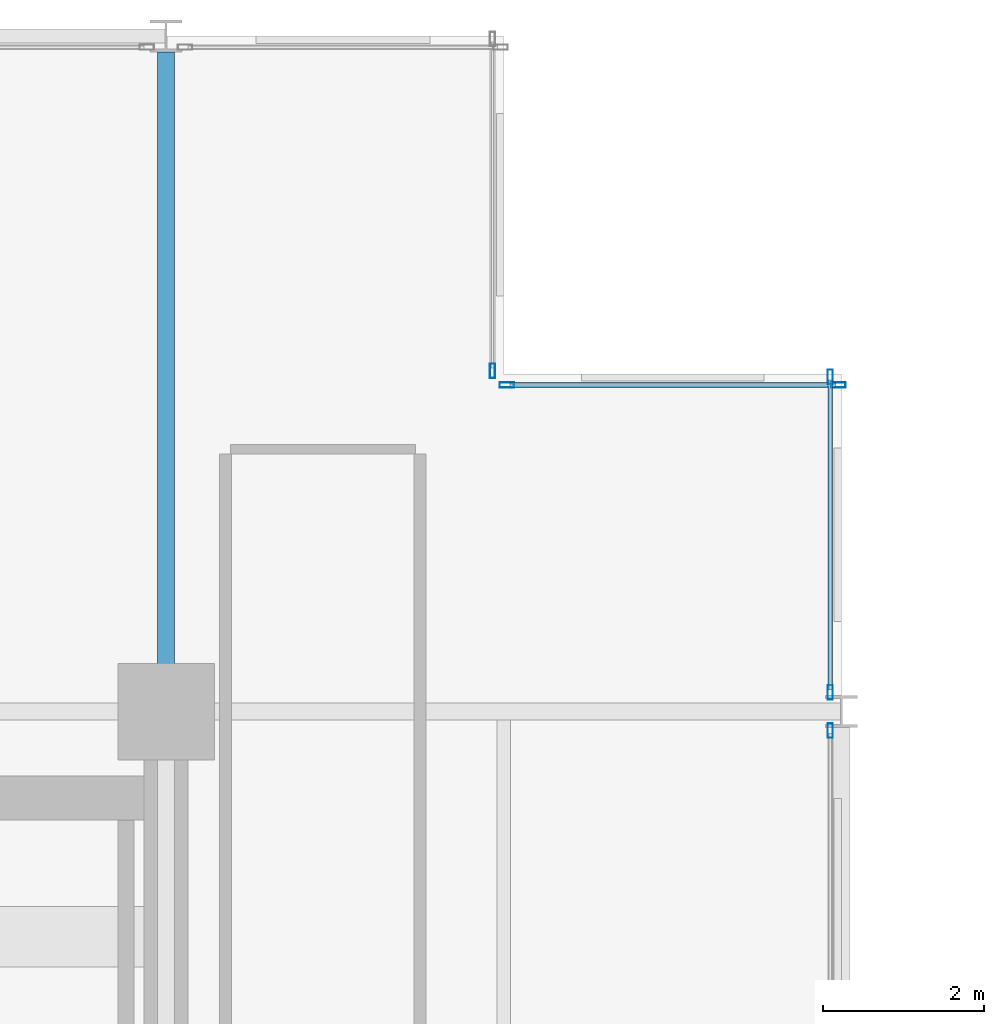
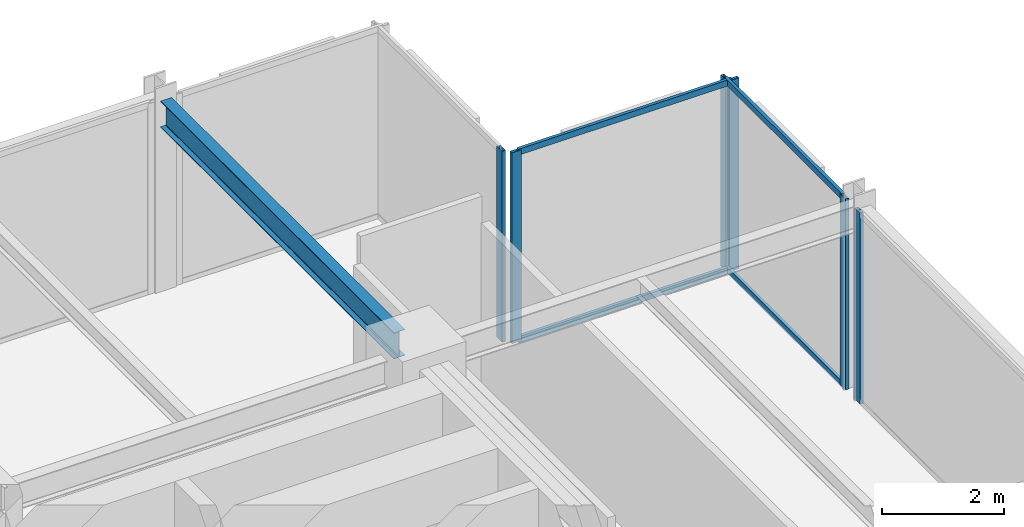
# One storey, part 28 of 38: 10 members, 1 beam, 4 elements without a shape of their own.
"""IFC4 building model written with IfcOpenShell, lengths in metres."""

from ifc_helpers import new_model, si_unit, direction, frame, origin, origin_2d, place, context, subcontext, project, spatial, hollow_rectangle, i_section, extrude, material, layer, layer_set, material_profile, profile_set, type_object, element, aggregate, save


model = new_model("IFC4")

# Units and contexts
model_context = context("Model", 3, precision=1e-05, world=origin(), true_north=direction((0.0, 1.0)))
body_context = subcontext(model_context, "Body", "Model", "MODEL_VIEW")
ifc_project = project(units=[si_unit("LENGTHUNIT", "METRE"), si_unit("AREAUNIT", "SQUARE_METRE"), si_unit("VOLUMEUNIT", "CUBIC_METRE"), si_unit("PLANEANGLEUNIT", "RADIAN"), si_unit("MASSUNIT", "GRAM", prefix="KILO")], contexts=[model_context])

# Site, building, storey
site_placement = place(None, origin())
site = spatial("IfcSite", under=ifc_project, at=site_placement, CompositionType="ELEMENT")
building_placement = place(site_placement, origin())
building = spatial("IfcBuilding", under=site, at=building_placement, Name="Nerrivon Quay Data Exchange", CompositionType="ELEMENT")
storey_placement = place(building_placement, frame((0.0, 0.0, 88.5)))
storey = spatial("IfcBuildingStorey", under=building, at=storey_placement, Name="L20", CompositionType="ELEMENT", Elevation=88.5)

# Beam
ifc_material_1 = material(Name="Steel Grade 350", Category="steel")
ifc_material_profile_1 = material_profile(ifc_material_1, i_section(OverallWidth=0.208984375, OverallDepth=0.528076171875, WebThickness=0.009521484375, FlangeThickness=0.01318359375, FilletRadius=0.013916015625, at=origin_2d()), Name="530UB82.0")
ifc_profile_set_1 = profile_set([ifc_material_profile_1], Name="Steel Grade 350")
beam_type = type_object("IfcBeamType", Name="BM-G4-530UB82", PredefinedType="BEAM", material=ifc_profile_set_1)
beam_placement = place(storey_placement, frame((16.800048828125, 42.5400390625, 3.56103515625), z_axis=(0.0, 1.0, 0.0), x_axis=(-1.0, 0.0, 0.0)))
element("IfcBeam", 1, at=beam_placement, inside=storey, type_object=beam_type, Name="L20 NS Girder X=16.8 (42.0..50.4)", PredefinedType="BEAM", context=body_context, shape_type="SweptSolid", body=[
    extrude(i_section(OverallWidth=0.208984375, OverallDepth=0.528076171875, WebThickness=0.009521484375, FlangeThickness=0.01318359375, FilletRadius=0.013916015625, at=origin_2d()), origin(), (0.0, 0.0, 1.0), 7.659912109375),
])

# Curtain wall, member
ifc_material_2 = material(Name="Anodised aluminium 6063-T6", Category="aluminium")
ifc_layer = layer(ifc_material_2, 0.2099609375)
ifc_layer_set = layer_set([ifc_layer], Name="Anodised aluminium 6063-T6")
curtain_wall_type = type_object("IfcCurtainWallType", Name="CW-SYS-02", PredefinedType="NOTDEFINED", material=ifc_layer_set)
curtain_wall_1_placement = place(storey_placement, origin())
curtain_wall_1 = element("IfcCurtainWall", 2, at=curtain_wall_1_placement, inside=storey, type_object=curtain_wall_type, Name="L20 Unitised Curtain Wall 27", PredefinedType="NOTDEFINED")
ifc_material_profile_2 = material_profile(ifc_material_2, hollow_rectangle(XDim=0.06494140625, YDim=0.179931640625, WallThickness=0.00341796875, at=origin_2d()), Name="ALU-MULL-180x65")
ifc_profile_set_2 = profile_set([ifc_material_profile_2], Name="Anodised aluminium 6063-T6")
member_type_1 = type_object("IfcMemberType", Name="CWM-180x65", PredefinedType="MULLION", material=ifc_profile_set_2)
member_1_placement = place(storey_placement, frame((20.860107421875, 46.237548828125, 0.0), z_axis=(0.0, 0.0, 1.0), x_axis=(1.0, 0.0, 0.0)))
member_1 = element("IfcMember", 3, at=member_1_placement, type_object=member_type_1, Name="CW02 mullion 2", PredefinedType="MULLION", context=body_context, shape_type="SweptSolid", body=[
    extrude(hollow_rectangle(XDim=0.06494140625, YDim=0.179931640625, WallThickness=0.00341796875, at=origin_2d()), origin(), (0.0, 0.0, 1.0), 3.824951171875),
])
aggregate(curtain_wall_1, [member_1])

# Curtain wall, members
curtain_wall_2_placement = place(storey_placement, origin())
curtain_wall_2 = element("IfcCurtainWall", 4, at=curtain_wall_2_placement, inside=storey, type_object=curtain_wall_type, Name="L20 Unitised Curtain Wall 28", PredefinedType="NOTDEFINED")
member_2_placement = place(storey_placement, frame((21.03759765625, 46.06005859375, 0.0), z_axis=(0.0, 0.0, 1.0), x_axis=(0.0, 1.0, 0.0)))
member_2 = element("IfcMember", 5, at=member_2_placement, type_object=member_type_1, Name="CW02 mullion 1", PredefinedType="MULLION", context=body_context, shape_type="SweptSolid", body=[
    extrude(hollow_rectangle(XDim=0.06494140625, YDim=0.179931640625, WallThickness=0.00341796875, at=origin_2d()), origin(), (0.0, 0.0, 1.0), 3.824951171875),
])
member_3_placement = place(storey_placement, frame((25.16259765625, 46.06005859375, 0.0), z_axis=(0.0, 0.0, 1.0), x_axis=(0.0, 1.0, 0.0)))
member_3 = element("IfcMember", 6, at=member_3_placement, type_object=member_type_1, Name="CW02 mullion 2", PredefinedType="MULLION", context=body_context, shape_type="SweptSolid", body=[
    extrude(hollow_rectangle(XDim=0.06494140625, YDim=0.179931640625, WallThickness=0.00341796875, at=origin_2d()), origin(), (0.0, 0.0, 1.0), 3.824951171875),
])

curtain_wall_3_placement = place(storey_placement, origin())
curtain_wall_3 = element("IfcCurtainWall", 7, at=curtain_wall_3_placement, inside=storey, type_object=curtain_wall_type, Name="L20 Unitised Curtain Wall 29", PredefinedType="NOTDEFINED")
member_4_placement = place(storey_placement, frame((25.06005859375, 46.16259765625, 0.0), z_axis=(0.0, 0.0, 1.0), x_axis=(1.0, 0.0, 0.0)))
member_4 = element("IfcMember", 8, at=member_4_placement, type_object=member_type_1, Name="CW02 mullion 1", PredefinedType="MULLION", context=body_context, shape_type="SweptSolid", body=[
    extrude(hollow_rectangle(XDim=0.06494140625, YDim=0.179931640625, WallThickness=0.00341796875, at=origin_2d()), origin(), (0.0, 0.0, 1.0), 3.824951171875),
])
member_5_placement = place(storey_placement, frame((25.06005859375, 42.237548828125, 0.0), z_axis=(0.0, 0.0, 1.0), x_axis=(1.0, 0.0, 0.0)))
member_5 = element("IfcMember", 9, at=member_5_placement, type_object=member_type_1, Name="CW02 mullion 2", PredefinedType="MULLION", context=body_context, shape_type="SweptSolid", body=[
    extrude(hollow_rectangle(XDim=0.06494140625, YDim=0.179931640625, WallThickness=0.00341796875, at=origin_2d()), origin(), (0.0, 0.0, 1.0), 3.824951171875),
])

# Curtain wall, member
curtain_wall_4_placement = place(storey_placement, origin())
curtain_wall_4 = element("IfcCurtainWall", 10, at=curtain_wall_4_placement, inside=storey, type_object=curtain_wall_type, Name="L20 Unitised Curtain Wall 30", PredefinedType="NOTDEFINED")
member_6_placement = place(storey_placement, frame((25.06005859375, 41.762451171875, 0.0), z_axis=(0.0, 0.0, 1.0), x_axis=(1.0, 0.0, 0.0)))
member_6 = element("IfcMember", 11, at=member_6_placement, type_object=member_type_1, Name="CW02 mullion 1", PredefinedType="MULLION", context=body_context, shape_type="SweptSolid", body=[
    extrude(hollow_rectangle(XDim=0.06494140625, YDim=0.179931640625, WallThickness=0.00341796875, at=origin_2d()), origin(), (0.0, 0.0, 1.0), 3.824951171875),
])
aggregate(curtain_wall_4, [member_6])

# Member
ifc_material_profile_3 = material_profile(ifc_material_2, hollow_rectangle(XDim=0.06005859375, YDim=0.1201171875, WallThickness=0.003173828125, at=origin_2d()), Name="ALU-TRAN-120x60")
ifc_profile_set_3 = profile_set([ifc_material_profile_3], Name="Anodised aluminium 6063-T6")
member_type_2 = type_object("IfcMemberType", Name="CWT-120x60", PredefinedType="USERDEFINED", material=ifc_profile_set_3)
member_7_placement = place(storey_placement, frame((21.074951171875, 46.06005859375, 0.032470703125), z_axis=(1.0, 0.0, 0.0), x_axis=(0.0, 1.0, 0.0)))
member_7 = element("IfcMember", 12, at=member_7_placement, type_object=member_type_2, Name="CW02 transom 1.1", ObjectType="TRANSOM", PredefinedType="USERDEFINED", context=body_context, shape_type="SweptSolid", body=[
    extrude(hollow_rectangle(XDim=0.06005859375, YDim=0.1201171875, WallThickness=0.003173828125, at=origin_2d()), origin(), (0.0, 0.0, 1.0), 4.050048828125),
])

member_8_placement = place(storey_placement, frame((21.074951171875, 46.06005859375, 3.79248046875), z_axis=(1.0, 0.0, 0.0), x_axis=(0.0, 1.0, 0.0)))
member_8 = element("IfcMember", 13, at=member_8_placement, type_object=member_type_2, Name="CW02 transom 1.2", ObjectType="TRANSOM", PredefinedType="USERDEFINED", context=body_context, shape_type="SweptSolid", body=[
    extrude(hollow_rectangle(XDim=0.06005859375, YDim=0.1201171875, WallThickness=0.003173828125, at=origin_2d()), origin(), (0.0, 0.0, 1.0), 4.050048828125),
])

aggregate(curtain_wall_2, [member_2, member_3, member_7, member_8])

member_9_placement = place(storey_placement, frame((25.06005859375, 46.125, 0.032470703125), z_axis=(0.0, -1.0, 0.0), x_axis=(1.0, 0.0, 0.0)))
member_9 = element("IfcMember", 14, at=member_9_placement, type_object=member_type_2, Name="CW02 transom 1.1", ObjectType="TRANSOM", PredefinedType="USERDEFINED", context=body_context, shape_type="SweptSolid", body=[
    extrude(hollow_rectangle(XDim=0.06005859375, YDim=0.1201171875, WallThickness=0.003173828125, at=origin_2d()), origin(), (0.0, 0.0, 1.0), 3.85009765625),
])

member_10_placement = place(storey_placement, frame((25.06005859375, 46.125, 3.79248046875), z_axis=(0.0, -1.0, 0.0), x_axis=(1.0, 0.0, 0.0)))
member_10 = element("IfcMember", 15, at=member_10_placement, type_object=member_type_2, Name="CW02 transom 1.2", ObjectType="TRANSOM", PredefinedType="USERDEFINED", context=body_context, shape_type="SweptSolid", body=[
    extrude(hollow_rectangle(XDim=0.06005859375, YDim=0.1201171875, WallThickness=0.003173828125, at=origin_2d()), origin(), (0.0, 0.0, 1.0), 3.85009765625),
])

aggregate(curtain_wall_3, [member_4, member_5, member_9, member_10])

save(model, "model.ifc")
